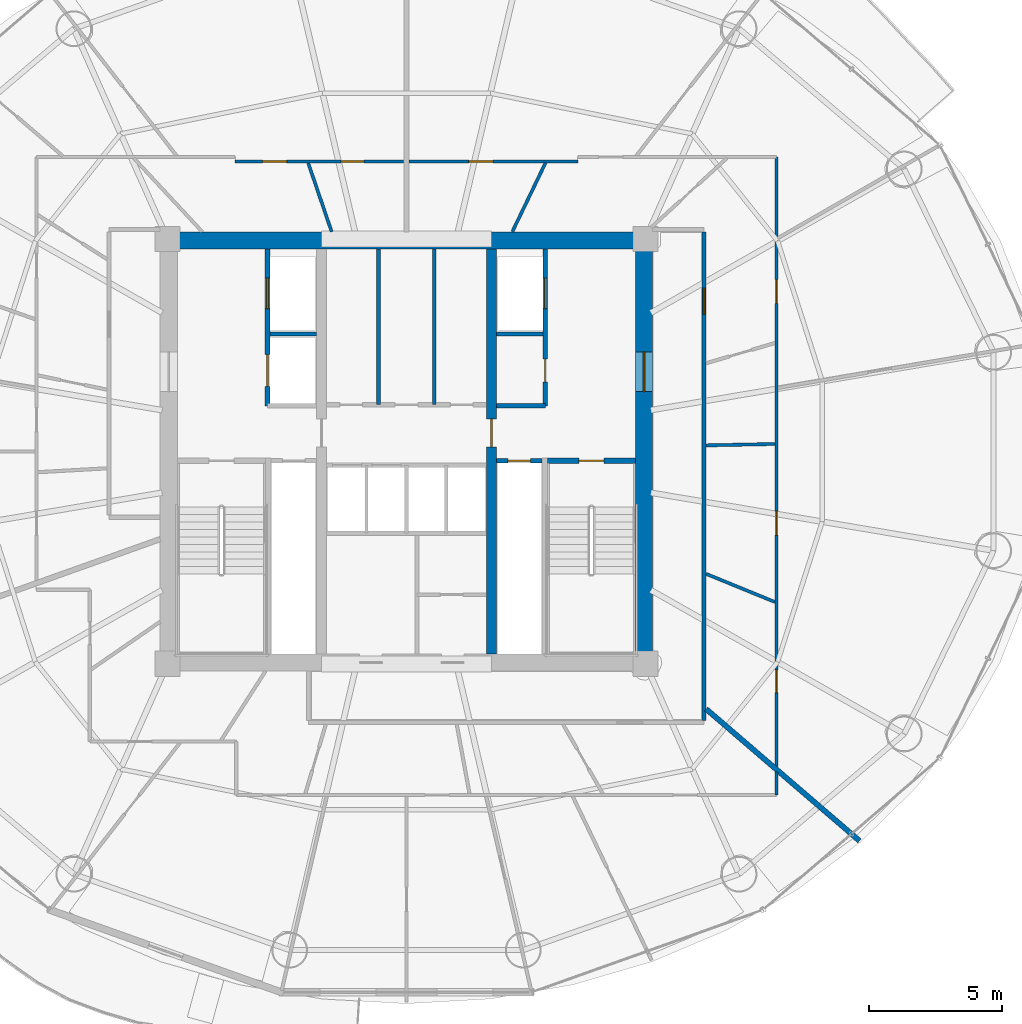
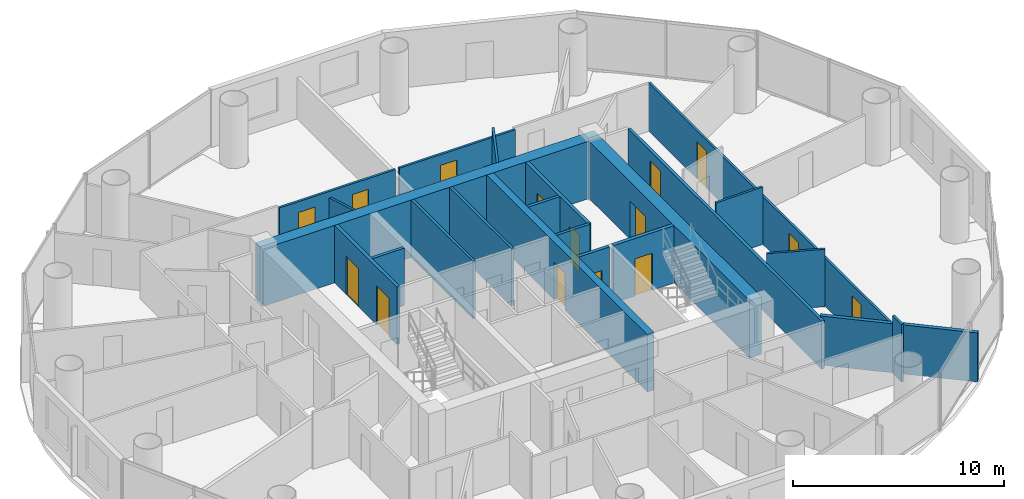
# One storey, part 23 of 27: 22 walls, 15 doors, 15 openings.
"""IFC4 building model written with IfcOpenShell, lengths in metres."""

from ifc_helpers import new_model, si_unit, direction, frame, frame_2d, origin, place, context, subcontext, project, spatial, rectangle, extrude, source, transform, mapped, material, layer, layer_set, type_object, element, fill, save


model = new_model("IFC4")

# Units and contexts
model_context = context("Model", 3, precision=1e-05, world=origin(), true_north=direction((-0.2419218956, 0.970295726276)))
body_context = subcontext(model_context, "Body", "Model", "MODEL_VIEW")
ifc_project = project(units=[si_unit("LENGTHUNIT", "METRE"), si_unit("AREAUNIT", "SQUARE_METRE"), si_unit("VOLUMEUNIT", "CUBIC_METRE"), si_unit("PLANEANGLEUNIT", "RADIAN"), si_unit("MASSUNIT", "GRAM", prefix="KILO")], contexts=[model_context])

# Site, building, storey
site_placement = place(None, origin())
site = spatial("IfcSite", under=ifc_project, at=site_placement, CompositionType="ELEMENT")
building_placement = place(site_placement, origin())
building = spatial("IfcBuilding", under=site, at=building_placement, Name="Cobrevalo Terracotta Tower", CompositionType="ELEMENT")
storey_placement = place(building_placement, frame((0.0, 0.0, 149.800048828125)))
storey = spatial("IfcBuildingStorey", under=building, at=storey_placement, Name="L39", CompositionType="ELEMENT", Elevation=149.800048828125)

# Wall
ifc_material_1 = material(Name="Concrete C55", Category="concrete")
ifc_layer_1 = layer(ifc_material_1, 0.64990234375)
ifc_layer_set_1 = layer_set([ifc_layer_1], Name="Concrete C55")
wall_type_1 = type_object("IfcWallType", Name="Core shear wall 650 mm Concrete C55", PredefinedType="SHEAR", material=ifc_layer_set_1)
wall_1_placement = place(storey_placement, frame((28.72509765625, 34.75, 0.0), z_axis=(0.0, 0.0, 1.0), x_axis=(1.0, 0.0, 0.0)))
element("IfcWall", 1, at=wall_1_placement, inside=storey, type_object=wall_type_1, Name="L39 north core shear wall", PredefinedType="SHEAR", context=body_context, shape_type="SweptSolid", body=[
    extrude(rectangle(XDim=18.5498046875, YDim=0.64990234375, at=frame_2d((9.27490234375, 0.0))), origin(), (0.0, 0.0, 1.0), 3.329833984375),
])

# Wall, opening, door
wall_2_placement = place(storey_placement, frame((46.949951171875, 19.175048828125, 0.0), z_axis=(0.0, 0.0, 1.0), x_axis=(0.0, 1.0, 0.0)))
wall_2 = element("IfcWall", 2, at=wall_2_placement, inside=storey, type_object=wall_type_1, Name="L39 east core shear wall", PredefinedType="SHEAR", context=body_context, shape_type="SweptSolid", body=[
    extrude(rectangle(XDim=15.25, YDim=0.64990234375, at=frame_2d((7.625, 0.0))), origin(), (0.0, 0.0, 1.0), 3.329833984375),
])
opening_1_placement = place(wall_2_placement, frame((9.875, 0.0, 0.0)))
opening_1 = element("IfcOpeningElement", 3, at=opening_1_placement, cuts=wall_2, Name="Opening ID-14", PredefinedType="OPENING", context=body_context, shape_type="SweptSolid", body=[
    extrude(rectangle(XDim=1.5, YDim=2.199951171875, at=frame_2d((0.75, 1.10009765625))), frame((0.0, 0.3349609375, 0.0), z_axis=(0.0, -1.0, 0.0), x_axis=(1.0, 0.0, 0.0)), (0.0, 0.0, 1.0), 0.669921875),
])
ifc_material_2 = material(Name="Galvanized fire-rated steel", Category="steel")
door_type_1 = type_object("IfcDoorType", Name="Core cross-lobby double fire door 1500x2200 EI 90", OperationType="NOTDEFINED", PredefinedType="DOOR", material=ifc_material_2)
shared_shape_1 = source(origin(), body_context, "Body", "SweptSolid", [
    extrude(rectangle(XDim=1.5, YDim=2.199951171875, at=frame_2d((0.75, 1.10009765625))), frame((0.0, 0.02490234375, 0.0), z_axis=(0.0, -1.0, 0.0), x_axis=(1.0, 0.0, 0.0)), (0.0, 0.0, 1.0), 0.050048828125),
])
door_1_placement = place(opening_1_placement, frame((1.5, 0.0, 0.0), z_axis=(0.0, 0.0, 1.0), x_axis=(-1.0, 0.0, 0.0)))
door_1 = element("IfcDoor", 4, at=door_1_placement, inside=storey, type_object=door_type_1, Name="L39 east firefighting lobby entrance door", OperationType="DOUBLE_DOOR_SINGLE_SWING", OverallHeight=2.199951171875, OverallWidth=1.5, PredefinedType="DOOR", context=body_context, shape_type="MappedRepresentation", body=[
    mapped(shared_shape_1, transform((0.0, 0.0, 0.0), scale=1.0)),
])
fill(opening_1, door_1)

# Walls
ifc_material_3 = material(Name="Gypsum board on steel stud", Category="steel")
ifc_layer_2 = layer(ifc_material_3, 0.159912109375)
ifc_layer_set_2 = layer_set([ifc_layer_2], Name="Gypsum board on steel stud")
wall_type_2 = type_object("IfcWallType", Name="Fire-rated corridor acoustic partition wall 160 mm", PredefinedType="PARTITIONING", material=ifc_layer_set_2)
for number, where, z_axis, x_axis, name in (
    (5, (32.860107421875, 31.219970703125, 0.0), (0.0, 0.0, 1.0), (1.0, 0.0, 0.0), "L39 interior partition IW-L39-FF1-M"),
    (6, (41.389892578125, 31.219970703125, 0.0), (0.0, 0.0, 1.0), (1.0, 0.0, 0.0), "L39 interior partition IW-L39-FF2-M"),
):
    element("IfcWall", number, at=place(storey_placement, frame(where, z_axis=z_axis, x_axis=x_axis)), inside=storey, type_object=wall_type_2, Name=name, PredefinedType="PARTITIONING", context=body_context, shape_type="SweptSolid", body=[
        extrude(rectangle(XDim=1.75, YDim=0.159912109375, at=frame_2d((0.875, 0.0))), origin(), (0.0, 0.0, 1.0), 3.329833984375),
    ])
wall_3_placement = place(storey_placement, frame((41.389892578125, 28.52001953125, 0.0), z_axis=(0.0, 0.0, 1.0), x_axis=(1.0, 0.0, 0.0)))
element("IfcWall", 7, at=wall_3_placement, inside=storey, type_object=wall_type_2, Name="L39 interior partition IW-L39-FF2-S", PredefinedType="PARTITIONING", context=body_context, shape_type="SweptSolid", body=[
    extrude(rectangle(XDim=1.840087890625, YDim=0.159912109375, at=frame_2d((0.919921875, 0.0))), origin(), (0.0, 0.0, 1.0), 3.329833984375),
])

# Wall, opening, door
wall_4_placement = place(storey_placement, frame((49.205078125, 16.675048828125, 0.0), z_axis=(0.0, 0.0, 1.0), x_axis=(0.0, 1.0, 0.0)))
wall_4 = element("IfcWall", 8, at=wall_4_placement, inside=storey, type_object=wall_type_2, Name="L39 interior partition IW-L39-COR-E", PredefinedType="PARTITIONING", context=body_context, shape_type="SweptSolid", body=[
    extrude(rectangle(XDim=18.39990234375, YDim=0.159912109375, at=frame_2d((9.199951171875, 0.0))), origin(), (0.0, 0.0, 1.0), 2.77587890625),
])
opening_2_placement = place(wall_4_placement, frame((15.298828125, 0.0, 0.0)))
opening_2 = element("IfcOpeningElement", 9, at=opening_2_placement, cuts=wall_4, Name="Opening ID-05", PredefinedType="OPENING", context=body_context, shape_type="SweptSolid", body=[
    extrude(rectangle(XDim=0.97998046875, YDim=2.199951171875, at=frame_2d((0.489990234375, 1.10009765625))), frame((0.0, 0.08984375, 0.0), z_axis=(0.0, -1.0, 0.0), x_axis=(1.0, 0.0, 0.0)), (0.0, 0.0, 1.0), 0.179931640625),
])
ifc_material_4 = material(Name="Solid hardwood timber", Category="wood")
door_type_2 = type_object("IfcDoorType", Name="Residence entrance fire-rated acoustic timber door 980x2200 EI 60", OperationType="NOTDEFINED", PredefinedType="DOOR", material=ifc_material_4)
shared_shape_2 = source(origin(), body_context, "Body", "SweptSolid", [
    extrude(rectangle(XDim=0.97998046875, YDim=2.199951171875, at=frame_2d((0.489990234375, 1.10009765625))), frame((0.0, 0.02490234375, 0.0), z_axis=(0.0, -1.0, 0.0), x_axis=(1.0, 0.0, 0.0)), (0.0, 0.0, 1.0), 0.050048828125),
])
door_2_placement = place(opening_2_placement, frame((0.97998046875, 0.0, 0.0), z_axis=(0.0, 0.0, 1.0), x_axis=(-1.0, 0.0, 0.0)))
door_2 = element("IfcDoor", 10, at=door_2_placement, inside=storey, type_object=door_type_2, Name="Flat L39C fire-rated apartment entrance door", OperationType="SINGLE_SWING_RIGHT", OverallHeight=2.199951171875, OverallWidth=0.97998046875, PredefinedType="DOOR", context=body_context, shape_type="MappedRepresentation", body=[
    mapped(shared_shape_2, transform((0.0, 0.0, 0.0), scale=1.0)),
])
fill(opening_2, door_2)

ifc_layer_3 = layer(ifc_material_3, 0.179931640625)
ifc_layer_set_3 = layer_set([ifc_layer_3], Name="Gypsum board on steel stud")
wall_type_3 = type_object("IfcWallType", Name="Fire-rated shaft & lobby acoustic partition wall 180 mm", PredefinedType="PARTITIONING", material=ifc_layer_set_3)
wall_5_placement = place(storey_placement, frame((41.389892578125, 26.449951171875, 0.0), z_axis=(0.0, 0.0, 1.0), x_axis=(1.0, 0.0, 0.0)))
wall_5 = element("IfcWall", 11, at=wall_5_placement, inside=storey, type_object=wall_type_3, Name="L39 interior partition IW-L39-RSE-N", PredefinedType="PARTITIONING", context=body_context, shape_type="SweptSolid", body=[
    extrude(rectangle(XDim=1.710205078125, YDim=0.179931640625, at=frame_2d((0.85498046875, 0.0))), origin(), (0.0, 0.0, 1.0), 3.329833984375),
])
opening_3_placement = place(wall_5_placement, frame((0.429931640625, 0.0, 0.0)))
opening_3 = element("IfcOpeningElement", 12, at=opening_3_placement, cuts=wall_5, Name="Opening ID-22", PredefinedType="OPENING", context=body_context, shape_type="SweptSolid", body=[
    extrude(rectangle(XDim=0.85009765625, YDim=2.10009765625, at=frame_2d((0.425048828125, 1.050048828125))), frame((0.0, 0.10009765625, 0.0), z_axis=(0.0, -1.0, 0.0), x_axis=(1.0, 0.0, 0.0)), (0.0, 0.0, 1.0), 0.199951171875),
])
ifc_material_5 = material(Name="Powder-coated steel", Category="steel")
door_type_3 = type_object("IfcDoorType", Name="Riser shaft & meter closet fire access door 850x2100 EI 60", OperationType="NOTDEFINED", PredefinedType="DOOR", material=ifc_material_5)
shared_shape_3 = source(origin(), body_context, "Body", "SweptSolid", [
    extrude(rectangle(XDim=0.85009765625, YDim=2.10009765625, at=frame_2d((0.425048828125, 1.050048828125))), frame((0.0, 0.02490234375, 0.0), z_axis=(0.0, -1.0, 0.0), x_axis=(1.0, 0.0, 0.0)), (0.0, 0.0, 1.0), 0.050048828125),
])
door_3_placement = place(opening_3_placement, origin())
door_3 = element("IfcDoor", 13, at=door_3_placement, inside=storey, type_object=door_type_3, Name="L39 riser access door RSE", OperationType="SINGLE_SWING_RIGHT", OverallHeight=2.10009765625, OverallWidth=0.85009765625, PredefinedType="DOOR", context=body_context, shape_type="MappedRepresentation", body=[
    mapped(shared_shape_3, transform((0.0, 0.0, 0.0), scale=1.0)),
])
fill(opening_3, door_3)

# Wall, openings, doors
wall_6_placement = place(storey_placement, frame((32.77001953125, 28.52001953125, 0.0), z_axis=(0.0, 0.0, 1.0), x_axis=(0.0, 1.0, 0.0)))
wall_6 = element("IfcWall", 14, at=wall_6_placement, inside=storey, type_object=wall_type_3, Name="L39 interior partition IW-L39-FF1-W", PredefinedType="PARTITIONING", context=body_context, shape_type="SweptSolid", body=[
    extrude(rectangle(XDim=5.905029296875, YDim=0.179931640625, at=frame_2d((2.95263671875, 0.0))), origin(), (0.0, 0.0, 1.0), 3.329833984375),
])
opening_4_placement = place(wall_6_placement, frame((3.655029296875, 0.0, 0.0)))
opening_4 = element("IfcOpeningElement", 15, at=opening_4_placement, cuts=wall_6, Name="Opening LD-02", PredefinedType="OPENING", context=body_context, shape_type="SweptSolid", body=[
    extrude(rectangle(XDim=1.14990234375, YDim=2.199951171875, at=frame_2d((0.574951171875, 1.10009765625))), frame((0.0, 0.10009765625, 0.0), z_axis=(0.0, -1.0, 0.0), x_axis=(1.0, 0.0, 0.0)), (0.0, 0.0, 1.0), 0.199951171875),
])
opening_5_placement = place(wall_6_placement, frame((0.72998046875, 0.0, 0.0)))
opening_5 = element("IfcOpeningElement", 16, at=opening_5_placement, cuts=wall_6, Name="Opening LD-03", PredefinedType="OPENING", context=body_context, shape_type="SweptSolid", body=[
    extrude(rectangle(XDim=1.199951171875, YDim=2.25, at=frame_2d((0.60009765625, 1.125))), frame((0.0, 0.10009765625, 0.0), z_axis=(0.0, -1.0, 0.0), x_axis=(1.0, 0.0, 0.0)), (0.0, 0.0, 1.0), 0.199951171875),
])
ifc_material_6 = material(Name="Brushed stainless steel", Category="steel")
door_type_4 = type_object("IfcDoorType", Name="Firefighting lift landing bi-parting sliding door 1150x2200 EI 120", OperationType="DOUBLE_DOOR_SLIDING", PredefinedType="DOOR", material=ifc_material_6)
shared_shape_4 = source(origin(), body_context, "Body", "SweptSolid", [
    extrude(rectangle(XDim=1.14990234375, YDim=2.199951171875, at=frame_2d((0.574951171875, 1.10009765625))), frame((0.0, 0.02490234375, 0.0), z_axis=(0.0, -1.0, 0.0), x_axis=(1.0, 0.0, 0.0)), (0.0, 0.0, 1.0), 0.050048828125),
])
door_4_placement = place(opening_4_placement, origin())
door_4 = element("IfcDoor", 17, at=door_4_placement, inside=storey, type_object=door_type_4, Name="L39 lift landing door FF-1", OperationType="DOUBLE_DOOR_SLIDING", OverallHeight=2.199951171875, OverallWidth=1.14990234375, PredefinedType="DOOR", context=body_context, shape_type="MappedRepresentation", body=[
    mapped(shared_shape_4, transform((0.0, 0.0, 0.0), scale=1.0)),
])
fill(opening_4, door_4)
door_type_5 = type_object("IfcDoorType", Name="Service lift landing bi-parting sliding door 1200x2250 EI 120", OperationType="DOUBLE_DOOR_SLIDING", PredefinedType="DOOR", material=ifc_material_6)
shared_shape_5 = source(origin(), body_context, "Body", "SweptSolid", [
    extrude(rectangle(XDim=1.199951171875, YDim=2.25, at=frame_2d((0.60009765625, 1.125))), frame((0.0, 0.02490234375, 0.0), z_axis=(0.0, -1.0, 0.0), x_axis=(1.0, 0.0, 0.0)), (0.0, 0.0, 1.0), 0.050048828125),
])
door_5_placement = place(opening_5_placement, origin())
door_5 = element("IfcDoor", 18, at=door_5_placement, inside=storey, type_object=door_type_5, Name="L39 lift landing door SV-1", OperationType="DOUBLE_DOOR_SLIDING", OverallHeight=2.25, OverallWidth=1.199951171875, PredefinedType="DOOR", context=body_context, shape_type="MappedRepresentation", body=[
    mapped(shared_shape_5, transform((0.0, 0.0, 0.0), scale=1.0)),
])
fill(opening_5, door_5)

wall_7_placement = place(storey_placement, frame((43.22998046875, 28.52001953125, 0.0), z_axis=(0.0, 0.0, 1.0), x_axis=(0.0, 1.0, 0.0)))
wall_7 = element("IfcWall", 19, at=wall_7_placement, inside=storey, type_object=wall_type_3, Name="L39 interior partition IW-L39-FF2-E", PredefinedType="PARTITIONING", context=body_context, shape_type="SweptSolid", body=[
    extrude(rectangle(XDim=5.905029296875, YDim=0.179931640625, at=frame_2d((2.95263671875, 0.0))), origin(), (0.0, 0.0, 1.0), 3.329833984375),
])
opening_6_placement = place(wall_7_placement, frame((0.905029296875, 0.0, 0.0)))
opening_6 = element("IfcOpeningElement", 20, at=opening_6_placement, cuts=wall_7, Name="Opening ID-22", PredefinedType="OPENING", context=body_context, shape_type="SweptSolid", body=[
    extrude(rectangle(XDim=0.85009765625, YDim=2.10009765625, at=frame_2d((0.425048828125, 1.050048828125))), frame((0.0, 0.10009765625, 0.0), z_axis=(0.0, -1.0, 0.0), x_axis=(1.0, 0.0, 0.0)), (0.0, 0.0, 1.0), 0.199951171875),
])
opening_7_placement = place(wall_7_placement, frame((3.655029296875, 0.0, 0.0)))
opening_7 = element("IfcOpeningElement", 21, at=opening_7_placement, cuts=wall_7, Name="Opening LD-02", PredefinedType="OPENING", context=body_context, shape_type="SweptSolid", body=[
    extrude(rectangle(XDim=1.14990234375, YDim=2.199951171875, at=frame_2d((0.574951171875, 1.10009765625))), frame((0.0, 0.10009765625, 0.0), z_axis=(0.0, -1.0, 0.0), x_axis=(1.0, 0.0, 0.0)), (0.0, 0.0, 1.0), 0.199951171875),
])
door_6_placement = place(opening_6_placement, frame((0.85009765625, 0.0, 0.0), z_axis=(0.0, 0.0, 1.0), x_axis=(-1.0, 0.0, 0.0)))
door_6 = element("IfcDoor", 22, at=door_6_placement, inside=storey, type_object=door_type_3, Name="L39 housekeeping store door", OperationType="SINGLE_SWING_RIGHT", OverallHeight=2.10009765625, OverallWidth=0.85009765625, PredefinedType="DOOR", context=body_context, shape_type="MappedRepresentation", body=[
    mapped(shared_shape_3, transform((0.0, 0.0, 0.0), scale=1.0)),
])
fill(opening_6, door_6)
door_7_placement = place(opening_7_placement, origin())
door_7 = element("IfcDoor", 23, at=door_7_placement, inside=storey, type_object=door_type_4, Name="L39 lift landing door FF-2", OperationType="DOUBLE_DOOR_SLIDING", OverallHeight=2.199951171875, OverallWidth=1.14990234375, PredefinedType="DOOR", context=body_context, shape_type="MappedRepresentation", body=[
    mapped(shared_shape_4, transform((0.0, 0.0, 0.0), scale=1.0)),
])
fill(opening_7, door_7)

# Wall
ifc_material_7 = material(Name="Autoclaved aerated concrete block", Category="concrete")
ifc_layer_4 = layer(ifc_material_7, 0.199951171875)
ifc_layer_set_4 = layer_set([ifc_layer_4], Name="Autoclaved aerated concrete block")
wall_type_4 = type_object("IfcWallType", Name="Fire-rated stair, shaft & demising masonry wall 200 mm", PredefinedType="PARTITIONING", material=ifc_layer_set_4)
wall_8_placement = place(storey_placement, frame((49.28662109375, 17.09912109375, 0.0), z_axis=(0.0, 0.0, 1.0), x_axis=(0.758362300646, -0.651833276965, 0.0)))
element("IfcWall", 24, at=wall_8_placement, inside=storey, type_object=wall_type_4, Name="L39 interior partition IW-L39-DEM-3", PredefinedType="PARTITIONING", context=body_context, shape_type="SweptSolid", body=[
    extrude(rectangle(XDim=7.617919921875, YDim=0.199951171875, at=frame_2d((3.80908203125, 0.0))), origin(), (0.0, 0.0, 1.0), 2.845947265625),
])

# Wall, opening, door
ifc_material_8 = material(Name="Concrete C50", Category="concrete")
ifc_layer_5 = layer(ifc_material_8, 0.3798828125)
ifc_layer_set_5 = layer_set([ifc_layer_5], Name="Concrete C50")
wall_type_5 = type_object("IfcWallType", Name="Internal core shear web wall 380 mm Concrete C50", PredefinedType="SHEAR", material=ifc_layer_set_5)
wall_9_placement = place(storey_placement, frame((41.199951171875, 19.175048828125, 0.0), z_axis=(0.0, 0.0, 1.0), x_axis=(0.0, 1.0, 0.0)))
wall_9 = element("IfcWall", 25, at=wall_9_placement, inside=storey, type_object=wall_type_5, Name="L39 internal core shear wall WEB-E", PredefinedType="SHEAR", context=body_context, shape_type="SweptSolid", body=[
    extrude(rectangle(XDim=15.25, YDim=0.3798828125, at=frame_2d((7.625, 0.0))), origin(), (0.0, 0.0, 1.0), 3.329833984375),
])
opening_8_placement = place(wall_9_placement, frame((7.800048828125, 0.0, 0.0)))
opening_8 = element("IfcOpeningElement", 26, at=opening_8_placement, cuts=wall_9, Name="Opening ID-11", PredefinedType="OPENING", context=body_context, shape_type="SweptSolid", body=[
    extrude(rectangle(XDim=1.050048828125, YDim=2.14990234375, at=frame_2d((0.52490234375, 1.074951171875))), frame((0.0, 0.199951171875, 0.0), z_axis=(0.0, -1.0, 0.0), x_axis=(1.0, 0.0, 0.0)), (0.0, 0.0, 1.0), 0.39990234375),
])
door_type_6 = type_object("IfcDoorType", Name="Core concourse cross fire door 1050x2150 EI 90", OperationType="NOTDEFINED", PredefinedType="DOOR", material=ifc_material_2)
shared_shape_6 = source(origin(), body_context, "Body", "SweptSolid", [
    extrude(rectangle(XDim=1.050048828125, YDim=2.14990234375, at=frame_2d((0.52490234375, 1.074951171875))), frame((0.0, 0.02490234375, 0.0), z_axis=(0.0, -1.0, 0.0), x_axis=(1.0, 0.0, 0.0)), (0.0, 0.0, 1.0), 0.050048828125),
])
door_8_placement = place(opening_8_placement, frame((1.050048828125, 0.0, 0.0), z_axis=(0.0, 0.0, 1.0), x_axis=(-1.0, 0.0, 0.0)))
door_8 = element("IfcDoor", 27, at=door_8_placement, inside=storey, type_object=door_type_6, Name="L39 east core concourse cross door", OperationType="SINGLE_SWING_RIGHT", OverallHeight=2.14990234375, OverallWidth=1.050048828125, PredefinedType="DOOR", context=body_context, shape_type="MappedRepresentation", body=[
    mapped(shared_shape_6, transform((0.0, 0.0, 0.0), scale=1.0)),
])
fill(opening_8, door_8)

# Walls
ifc_layer_6 = layer(ifc_material_7, 0.139892578125)
ifc_layer_set_6 = layer_set([ifc_layer_6], Name="Autoclaved aerated concrete block")
wall_type_6 = type_object("IfcWallType", Name="Moisture-resistant wet-room & core service partition 140 mm", PredefinedType="PARTITIONING", material=ifc_layer_set_6)
for number, where, z_axis, x_axis, name in (
    (28, (36.949951171875, 28.56005859375, 0.0), (0.0, 0.0, 1.0), (0.0, 1.0, 0.0), "L39 interior partition IW-L39-KVN-A"),
    (29, (39.050048828125, 28.56005859375, 0.0), (0.0, 0.0, 1.0), (0.0, 1.0, 0.0), "L39 interior partition IW-L39-KVN-B"),
):
    element("IfcWall", number, at=place(storey_placement, frame(where, z_axis=z_axis, x_axis=x_axis)), inside=storey, type_object=wall_type_6, Name=name, PredefinedType="PARTITIONING", context=body_context, shape_type="SweptSolid", body=[
        extrude(rectangle(XDim=5.864990234375, YDim=0.139892578125, at=frame_2d((2.9326171875, 0.0))), origin(), (0.0, 0.0, 1.0), 3.329833984375),
    ])

# Wall, openings, doors
ifc_layer_7 = layer(ifc_material_3, 0.1201171875)
ifc_layer_set_7 = layer_set([ifc_layer_7], Name="Gypsum board on steel stud")
wall_type_7 = type_object("IfcWallType", Name="Residential internal acoustic stud partition 120 mm", PredefinedType="PARTITIONING", material=ifc_layer_set_7)
wall_10_placement = place(storey_placement, frame((31.534912109375, 37.72509765625, 0.0), z_axis=(0.0, 0.0, 1.0), x_axis=(1.0, 0.0, 0.0)))
wall_10 = element("IfcWall", 30, at=wall_10_placement, inside=storey, type_object=wall_type_7, Name="L39 interior partition IW-L39-U1-RING3_0", PredefinedType="PARTITIONING", context=body_context, shape_type="SweptSolid", body=[
    extrude(rectangle(XDim=6.363037109375, YDim=0.1201171875, at=frame_2d((3.181640625, 0.0))), origin(), (0.0, 0.0, 1.0), 2.77587890625),
])
opening_9_placement = place(wall_10_placement, frame((4.004150390625, 0.0, 0.0)))
opening_9 = element("IfcOpeningElement", 31, at=opening_9_placement, cuts=wall_10, Name="Opening ID-19", PredefinedType="OPENING", context=body_context, shape_type="SweptSolid", body=[
    extrude(rectangle(XDim=0.860107421875, YDim=2.14990234375, at=frame_2d((0.43017578125, 1.074951171875))), frame((0.0, 0.070068359375, 0.0), z_axis=(0.0, -1.0, 0.0), x_axis=(1.0, 0.0, 0.0)), (0.0, 0.0, 1.0), 0.14013671875),
])
opening_10_placement = place(wall_10_placement, frame((1.04931640625, 0.0, 0.0)))
opening_10 = element("IfcOpeningElement", 32, at=opening_10_placement, cuts=wall_10, Name="Opening ID-12", PredefinedType="OPENING", context=body_context, shape_type="SweptSolid", body=[
    extrude(rectangle(XDim=0.89990234375, YDim=2.14990234375, at=frame_2d((0.449951171875, 1.074951171875))), frame((0.0, 0.070068359375, 0.0), z_axis=(0.0, -1.0, 0.0), x_axis=(1.0, 0.0, 0.0)), (0.0, 0.0, 1.0), 0.14013671875),
])
ifc_material_9 = material(Name="Moisture-sealed timber", Category="wood")
door_type_7 = type_object("IfcDoorType", Name="Suite bathroom internal timber door 860x2150", OperationType="NOTDEFINED", PredefinedType="DOOR", material=ifc_material_9)
shared_shape_7 = source(origin(), body_context, "Body", "SweptSolid", [
    extrude(rectangle(XDim=0.860107421875, YDim=2.14990234375, at=frame_2d((0.43017578125, 1.074951171875))), frame((0.0, 0.02490234375, 0.0), z_axis=(0.0, -1.0, 0.0), x_axis=(1.0, 0.0, 0.0)), (0.0, 0.0, 1.0), 0.050048828125),
])
door_9_placement = place(opening_9_placement, frame((0.860107421875, 0.0, 0.0), z_axis=(0.0, 0.0, 1.0), x_axis=(-1.0, 0.0, 0.0)))
door_9 = element("IfcDoor", 33, at=door_9_placement, inside=storey, type_object=door_type_7, Name="Flat L39A Guest Bathroom internal door", OperationType="SINGLE_SWING_RIGHT", OverallHeight=2.14990234375, OverallWidth=0.860107421875, PredefinedType="DOOR", context=body_context, shape_type="MappedRepresentation", body=[
    mapped(shared_shape_7, transform((0.0, 0.0, 0.0), scale=1.0)),
])
fill(opening_9, door_9)
ifc_material_10 = material(Name="Engineered timber", Category="wood")
door_type_8 = type_object("IfcDoorType", Name="Internal residence & suite timber door 900x2150", OperationType="NOTDEFINED", PredefinedType="DOOR", material=ifc_material_10)
shared_shape_8 = source(origin(), body_context, "Body", "SweptSolid", [
    extrude(rectangle(XDim=0.89990234375, YDim=2.14990234375, at=frame_2d((0.449951171875, 1.074951171875))), frame((0.0, 0.02490234375, 0.0), z_axis=(0.0, -1.0, 0.0), x_axis=(1.0, 0.0, 0.0)), (0.0, 0.0, 1.0), 0.050048828125),
])
door_10_placement = place(opening_10_placement, frame((0.89990234375, 0.0, 0.0), z_axis=(0.0, 0.0, 1.0), x_axis=(-1.0, 0.0, 0.0)))
door_10 = element("IfcDoor", 34, at=door_10_placement, inside=storey, type_object=door_type_8, Name="Flat L39A Utility Closet internal door", OperationType="SINGLE_SWING_LEFT", OverallHeight=2.14990234375, OverallWidth=0.89990234375, PredefinedType="DOOR", context=body_context, shape_type="MappedRepresentation", body=[
    mapped(shared_shape_8, transform((0.0, 0.0, 0.0), scale=1.0)),
])
fill(opening_10, door_10)

# Walls
wall_11_placement = place(storey_placement, frame((35.182373046875, 35.074951171875, 0.0), z_axis=(0.0, 0.0, 1.0), x_axis=(-0.322321614946, 0.946630221649, 0.0)))
element("IfcWall", 35, at=wall_11_placement, inside=storey, type_object=wall_type_7, Name="L39 interior partition IW-L39-U1-IRAD1", PredefinedType="PARTITIONING", context=body_context, shape_type="SweptSolid", body=[
    extrude(rectangle(XDim=2.7373046875, YDim=0.1201171875, at=frame_2d((1.36865234375, 0.0))), origin(), (0.0, 0.0, 1.0), 2.4150390625),
])
wall_12_placement = place(storey_placement, frame((51.93505859375, 14.720703125, 0.0), z_axis=(0.0, 0.0, 1.0), x_axis=(0.0, -1.0, 0.0)))
element("IfcWall", 36, at=wall_12_placement, inside=storey, type_object=wall_type_7, Name="L39 interior partition IW-L39-U2-RING0_0", PredefinedType="PARTITIONING", context=body_context, shape_type="SweptSolid", body=[
    extrude(rectangle(XDim=0.855712890625, YDim=0.1201171875, at=frame_2d((0.427734375, 0.0))), origin(), (0.0, 0.0, 1.0), 3.329833984375),
])

# Wall, opening, door
wall_13_placement = place(storey_placement, frame((38.10205078125, 37.72509765625, 0.0), z_axis=(0.0, 0.0, 1.0), x_axis=(1.0, 0.0, 0.0)))
wall_13 = element("IfcWall", 37, at=wall_13_placement, inside=storey, type_object=wall_type_7, Name="L39 interior partition IW-L39-U3-RING0_0", PredefinedType="PARTITIONING", context=body_context, shape_type="SweptSolid", body=[
    extrude(rectangle(XDim=6.363037109375, YDim=0.1201171875, at=frame_2d((3.181640625, 0.0))), origin(), (0.0, 0.0, 1.0), 2.77587890625),
])
opening_11_placement = place(wall_13_placement, frame((2.25146484375, 0.0, 0.0)))
opening_11 = element("IfcOpeningElement", 38, at=opening_11_placement, cuts=wall_13, Name="Opening ID-12", PredefinedType="OPENING", context=body_context, shape_type="SweptSolid", body=[
    extrude(rectangle(XDim=0.89990234375, YDim=2.14990234375, at=frame_2d((0.449951171875, 1.074951171875))), frame((0.0, 0.070068359375, 0.0), z_axis=(0.0, -1.0, 0.0), x_axis=(1.0, 0.0, 0.0)), (0.0, 0.0, 1.0), 0.14013671875),
])
door_11_placement = place(opening_11_placement, frame((0.89990234375, 0.0, 0.0), z_axis=(0.0, 0.0, 1.0), x_axis=(-1.0, 0.0, 0.0)))
door_11 = element("IfcDoor", 39, at=door_11_placement, inside=storey, type_object=door_type_8, Name="Flat L39C Private Library Meeting Room internal door", OperationType="SINGLE_SWING_RIGHT", OverallHeight=2.14990234375, OverallWidth=0.89990234375, PredefinedType="DOOR", context=body_context, shape_type="MappedRepresentation", body=[
    mapped(shared_shape_8, transform((0.0, 0.0, 0.0), scale=1.0)),
])
fill(opening_11, door_11)

# Wall, openings, doors
wall_14_placement = place(storey_placement, frame((51.93505859375, 37.885009765625, 0.0), z_axis=(0.0, 0.0, 1.0), x_axis=(0.0, -1.0, 0.0)))
wall_14 = element("IfcWall", 40, at=wall_14_placement, inside=storey, type_object=wall_type_7, Name="L39 interior partition IW-L39-U3-RING3_0", PredefinedType="PARTITIONING", context=body_context, shape_type="SweptSolid", body=[
    extrude(rectangle(XDim=22.960205078125, YDim=0.1201171875, at=frame_2d((11.47998046875, 0.0))), origin(), (0.0, 0.0, 1.0), 2.77587890625),
])
opening_12_placement = place(wall_14_placement, frame((4.60986328125, 0.0, 0.0)))
opening_12 = element("IfcOpeningElement", 41, at=opening_12_placement, cuts=wall_14, Name="Opening ID-12", PredefinedType="OPENING", context=body_context, shape_type="SweptSolid", body=[
    extrude(rectangle(XDim=0.89990234375, YDim=2.14990234375, at=frame_2d((0.449951171875, 1.074951171875))), frame((0.0, 0.070068359375, 0.0), z_axis=(0.0, -1.0, 0.0), x_axis=(1.0, 0.0, 0.0)), (0.0, 0.0, 1.0), 0.14013671875),
])
opening_13_placement = place(wall_14_placement, frame((19.309814453125, 0.0, 0.0)))
opening_13 = element("IfcOpeningElement", 42, at=opening_13_placement, cuts=wall_14, Name="Opening ID-19", PredefinedType="OPENING", context=body_context, shape_type="SweptSolid", body=[
    extrude(rectangle(XDim=0.860107421875, YDim=2.14990234375, at=frame_2d((0.43017578125, 1.074951171875))), frame((0.0, 0.070068359375, 0.0), z_axis=(0.0, -1.0, 0.0), x_axis=(1.0, 0.0, 0.0)), (0.0, 0.0, 1.0), 0.14013671875),
])
opening_14_placement = place(wall_14_placement, frame((13.3408203125, 0.0, 0.0)))
opening_14 = element("IfcOpeningElement", 43, at=opening_14_placement, cuts=wall_14, Name="Opening ID-12", PredefinedType="OPENING", context=body_context, shape_type="SweptSolid", body=[
    extrude(rectangle(XDim=0.89990234375, YDim=2.14990234375, at=frame_2d((0.449951171875, 1.074951171875))), frame((0.0, 0.070068359375, 0.0), z_axis=(0.0, -1.0, 0.0), x_axis=(1.0, 0.0, 0.0)), (0.0, 0.0, 1.0), 0.14013671875),
])
door_12_placement = place(opening_13_placement, frame((0.860107421875, 0.0, 0.0), z_axis=(0.0, 0.0, 1.0), x_axis=(-1.0, 0.0, 0.0)))
door_12 = element("IfcDoor", 44, at=door_12_placement, inside=storey, type_object=door_type_7, Name="Flat L39C Guest Bathroom internal door", OperationType="SINGLE_SWING_RIGHT", OverallHeight=2.14990234375, OverallWidth=0.860107421875, PredefinedType="DOOR", context=body_context, shape_type="MappedRepresentation", body=[
    mapped(shared_shape_7, transform((0.0, 0.0, 0.0), scale=1.0)),
])
fill(opening_13, door_12)
door_13_placement = place(opening_12_placement, origin())
door_13 = element("IfcDoor", 45, at=door_13_placement, inside=storey, type_object=door_type_8, Name="Flat L39C Master Bedroom internal door", OperationType="SINGLE_SWING_LEFT", OverallHeight=2.14990234375, OverallWidth=0.89990234375, PredefinedType="DOOR", context=body_context, shape_type="MappedRepresentation", body=[
    mapped(shared_shape_8, transform((0.0, 0.0, 0.0), scale=1.0)),
])
fill(opening_12, door_13)
door_14_placement = place(opening_14_placement, frame((0.89990234375, 0.0, 0.0), z_axis=(0.0, 0.0, 1.0), x_axis=(-1.0, 0.0, 0.0)))
door_14 = element("IfcDoor", 46, at=door_14_placement, inside=storey, type_object=door_type_8, Name="Flat L39C Utility Closet internal door", OperationType="SINGLE_SWING_LEFT", OverallHeight=2.14990234375, OverallWidth=0.89990234375, PredefinedType="DOOR", context=body_context, shape_type="MappedRepresentation", body=[
    mapped(shared_shape_8, transform((0.0, 0.0, 0.0), scale=1.0)),
])
fill(opening_14, door_14)

# Walls
wall_15_placement = place(storey_placement, frame((49.286865234375, 22.1884765625, 0.0), z_axis=(0.0, 0.0, 1.0), x_axis=(0.925708058909, -0.378238799796, 0.0)))
element("IfcWall", 47, at=wall_15_placement, inside=storey, type_object=wall_type_7, Name="L39 interior partition IW-L39-U3-IRAD1", PredefinedType="PARTITIONING", context=body_context, shape_type="SweptSolid", body=[
    extrude(rectangle(XDim=2.798828125, YDim=0.1201171875, at=frame_2d((1.3994140625, 0.0))), origin(), (0.0, 0.0, 1.0), 3.329833984375),
])
wall_16_placement = place(storey_placement, frame((49.287109375, 27.028564453125, 0.0), z_axis=(0.0, 0.0, 1.0), x_axis=(0.999794052369, 0.020294157974, 0.0)))
element("IfcWall", 48, at=wall_16_placement, inside=storey, type_object=wall_type_7, Name="L39 interior partition IW-L39-U3-IRAD2", PredefinedType="PARTITIONING", context=body_context, shape_type="SweptSolid", body=[
    extrude(rectangle(XDim=2.58642578125, YDim=0.1201171875, at=frame_2d((1.293212890625, 0.0))), origin(), (0.0, 0.0, 1.0), 3.329833984375),
])
wall_17_placement = place(storey_placement, frame((41.98779296875, 35.074951171875, 0.0), z_axis=(0.0, 0.0, 1.0), x_axis=(0.434144408634, 0.900843289619, 0.0)))
element("IfcWall", 49, at=wall_17_placement, inside=storey, type_object=wall_type_7, Name="L39 interior partition IW-L39-U3-IRAD5", PredefinedType="PARTITIONING", context=body_context, shape_type="SweptSolid", body=[
    extrude(rectangle(XDim=2.8798828125, YDim=0.1201171875, at=frame_2d((1.43994140625, 0.0))), origin(), (0.0, 0.0, 1.0), 3.329833984375),
])

# Wall, opening, door
ifc_layer_8 = layer(ifc_material_8, 0.199951171875)
ifc_layer_set_8 = layer_set([ifc_layer_8], Name="Concrete C50")
wall_type_8 = type_object("IfcWallType", Name="Structural core & podium stair-shaft RC wall 200 mm Concrete C50", PredefinedType="SOLIDWALL", material=ifc_layer_set_8)
wall_18_placement = place(storey_placement, frame((43.304931640625, 26.449951171875, 0.0), z_axis=(0.0, 0.0, 1.0), x_axis=(1.0, 0.0, 0.0)))
wall_18 = element("IfcWall", 50, at=wall_18_placement, inside=storey, type_object=wall_type_8, Name="L39 ST-2 north structural shaft wall", PredefinedType="SOLIDWALL", context=body_context, shape_type="SweptSolid", body=[
    extrude(rectangle(XDim=3.320068359375, YDim=0.199951171875, at=frame_2d((1.66015625, 0.0))), origin(), (0.0, 0.0, 1.0), 3.329833984375),
])
opening_15_placement = place(wall_18_placement, frame((1.18505859375, 0.0, 0.0)))
opening_15 = element("IfcOpeningElement", 51, at=opening_15_placement, cuts=wall_18, Name="Opening ID-04", PredefinedType="OPENING", context=body_context, shape_type="SweptSolid", body=[
    extrude(rectangle(XDim=0.949951171875, YDim=2.14990234375, at=frame_2d((0.47509765625, 1.074951171875))), frame((0.0, 0.10986328125, 0.0), z_axis=(0.0, -1.0, 0.0), x_axis=(1.0, 0.0, 0.0)), (0.0, 0.0, 1.0), 0.219970703125),
])
door_type_9 = type_object("IfcDoorType", Name="Stair & firefighting lobby fire door 950x2150 EI 90", OperationType="NOTDEFINED", PredefinedType="DOOR", material=ifc_material_2)
shared_shape_9 = source(origin(), body_context, "Body", "SweptSolid", [
    extrude(rectangle(XDim=0.949951171875, YDim=2.14990234375, at=frame_2d((0.47509765625, 1.074951171875))), frame((0.0, 0.02490234375, 0.0), z_axis=(0.0, -1.0, 0.0), x_axis=(1.0, 0.0, 0.0)), (0.0, 0.0, 1.0), 0.050048828125),
])
door_15_placement = place(opening_15_placement, frame((0.949951171875, 0.0, 0.0), z_axis=(0.0, 0.0, 1.0), x_axis=(-1.0, 0.0, 0.0)))
door_15 = element("IfcDoor", 52, at=door_15_placement, inside=storey, type_object=door_type_9, Name="L39 protected stair ST2 fire door", OperationType="SINGLE_SWING_RIGHT", OverallHeight=2.14990234375, OverallWidth=0.949951171875, PredefinedType="DOOR", context=body_context, shape_type="MappedRepresentation", body=[
    mapped(shared_shape_9, transform((0.0, 0.0, 0.0), scale=1.0)),
])
fill(opening_15, door_15)

save(model, "model.ifc")
